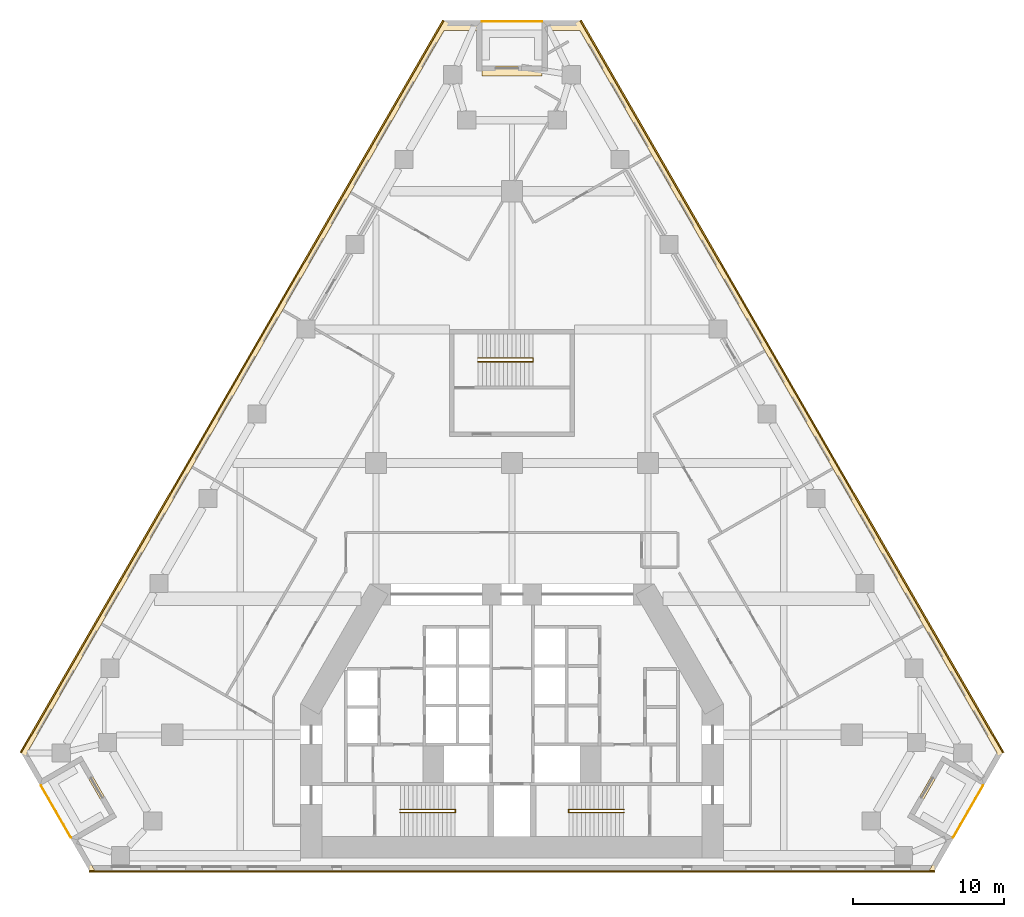
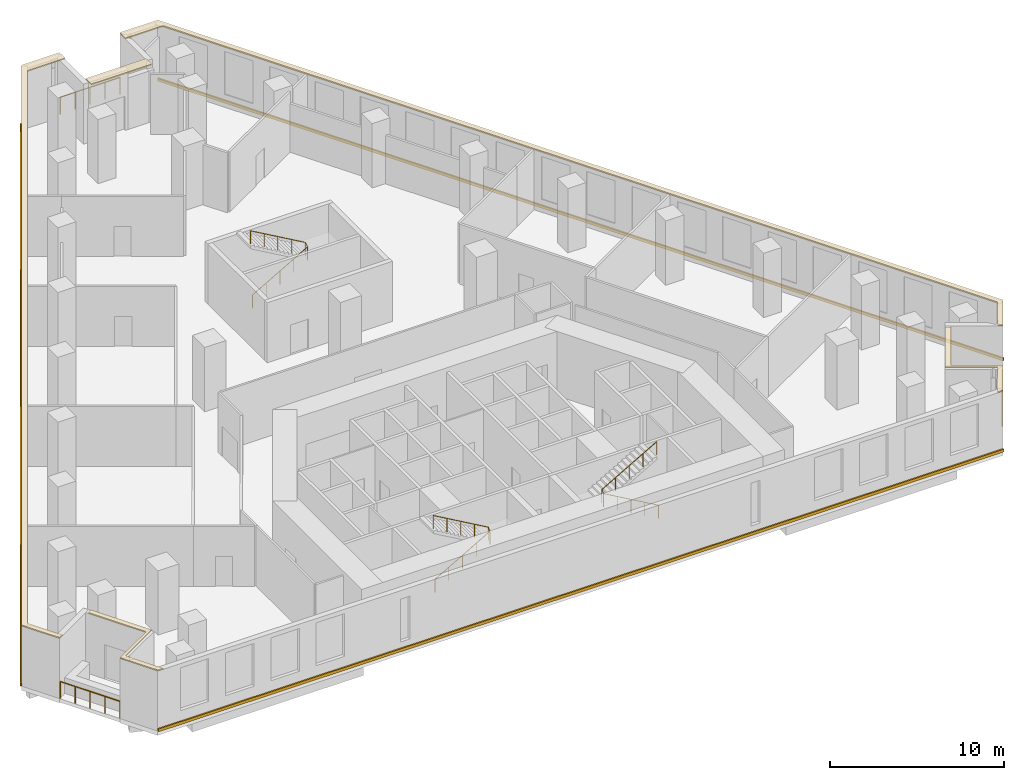
# One storey, part 14 of 14: 8 coverings, 6 railings.
"""IFC4 building model written with IfcOpenShell, lengths in metres."""

import ifcopenshell
import ifcopenshell.guid

model = None  # the IFC model being written
_history = None  # IfcOwnerHistory: only IFC2X3 demands one
_inside = {}  # id of a spatial element -> (the spatial element, [elements in it])
_under = {}  # id of a project, library or spatial element -> (it, [spatial elements below it])
_declared = {}  # id of a project -> (the project, [libraries it declares])
_typed = {}  # id of a type object -> (the type object, [elements of that type])
_made_of = {}  # id of a material, layer set ... -> (it, [elements and type objects made of it])


def new_model(schema):
    """Start an empty IFC model of exactly this schema.

    Asked for "IFC4X3", IfcOpenShell would pick the latest addendum, in which some entities
    have other attributes; the version numbers below select the first issue.
    IFC2X3 requires an IfcOwnerHistory on every rooted entity: one is made here for all.
    """
    global model, _history
    if schema == "IFC4X3":
        model = ifcopenshell.file(schema_version=(4, 3, 0, 0))
    else:
        model = ifcopenshell.file(schema=schema)
    _inside.clear()
    _under.clear()
    _declared.clear()
    _typed.clear()
    _made_of.clear()
    _history = None
    if model.schema == "IFC2X3":
        org = make("IfcOrganization", Name="unknown")
        user = make(
            "IfcPersonAndOrganization",
            ThePerson=make("IfcPerson", FamilyName="unknown"),
            TheOrganization=org,
        )
        app = make(
            "IfcApplication",
            ApplicationDeveloper=org,
            Version="unknown",
            ApplicationFullName="unknown",
            ApplicationIdentifier="unknown",
        )
        _history = make(
            "IfcOwnerHistory",
            OwningUser=user,
            OwningApplication=app,
            ChangeAction="ADDED",
            CreationDate=0,
        )
    return model


def make(cls, **values):
    """One entity of the class cls with the attributes given. An attribute that is None is left unset."""
    return model.create_entity(
        cls, **{name: value for name, value in values.items() if value is not None}
    )


def rooted(cls, **values):
    """An entity with a GlobalId (a new one), such as an element, a storey or a relation."""
    return make(cls, GlobalId=ifcopenshell.guid.new(), OwnerHistory=_history, **values)


def si_unit(unit_type, name, prefix=None):
    """IfcSIUnit, for example si_unit("LENGTHUNIT", "METRE", prefix="MILLI")."""
    return make("IfcSIUnit", UnitType=unit_type, Prefix=prefix, Name=name)


def assignment(units):
    """IfcUnitAssignment: the units of a project."""
    return None if units is None else make("IfcUnitAssignment", Units=units)


def point(xyz):
    """IfcCartesianPoint."""
    return None if xyz is None else make("IfcCartesianPoint", Coordinates=xyz)


def direction(xyz):
    """IfcDirection."""
    return None if xyz is None else make("IfcDirection", DirectionRatios=xyz)


def frame(location, z_axis=None, x_axis=None):
    """IfcAxis2Placement3D, a coordinate frame: its origin and axes. An axis left out is left unset."""
    return make(
        "IfcAxis2Placement3D",
        Location=point(location),
        Axis=direction(z_axis),
        RefDirection=direction(x_axis),
    )


def frame_2d(location, x_axis=None):
    """IfcAxis2Placement2D, a coordinate frame in the plane: its origin and x axis."""
    return make(
        "IfcAxis2Placement2D", Location=point(location), RefDirection=direction(x_axis)
    )


def origin():
    """The frame at (0, 0, 0) with its axes left unset."""
    return frame((0.0, 0.0, 0.0))


def origin_2d():
    """The frame at (0, 0) in the plane with its x axis left unset."""
    return frame_2d((0.0, 0.0))


def place(relative_to, where):
    """IfcLocalPlacement: puts the frame where relative to a parent placement (None: the world)."""
    return make(
        "IfcLocalPlacement", PlacementRelTo=relative_to, RelativePlacement=where
    )


def context(
    kind, dimensions, precision=None, world=None, true_north=None, identifier=None
):
    """IfcGeometricRepresentationContext, for example the 3D "Model" context."""
    return make(
        "IfcGeometricRepresentationContext",
        ContextIdentifier=identifier,
        ContextType=kind,
        CoordinateSpaceDimension=dimensions,
        Precision=precision,
        WorldCoordinateSystem=world,
        TrueNorth=true_north,
    )


def subcontext(parent, identifier, kind, view, scale=None):
    """IfcGeometricRepresentationSubContext, for example "Body" below "Model"."""
    return make(
        "IfcGeometricRepresentationSubContext",
        ContextIdentifier=identifier,
        ContextType=kind,
        ParentContext=parent,
        TargetScale=scale,
        TargetView=view,
    )


def project(units=None, contexts=None):
    """IfcProject with its units and contexts."""
    return rooted(
        "IfcProject",
        Name="project",
        RepresentationContexts=contexts,
        UnitsInContext=assignment(units),
    )


def spatial(cls, under=None, at=None, **own):
    """A site, building, storey or space (cls), placed at a placement, below another one or the project."""
    s = rooted(cls, ObjectPlacement=at, **own)
    if under is not None:
        _under.setdefault(under.id(), (under, []))[1].append(s)
    return s


def polyline(points):
    """IfcPolyline through the points."""
    return make("IfcPolyline", Points=[point(p) for p in points])


def profile(cls, at=None, kind="AREA", **sizes):
    """A parametric profile (cls). Its sizes go by their IFC names, for example OverallWidth=200.0."""
    return make(cls, ProfileType=kind, Position=at, **sizes)


def circle(**sizes):
    """IfcCircleProfileDef."""
    return profile("IfcCircleProfileDef", **sizes)


def outline(outer, holes=None, kind="AREA"):
    """IfcArbitraryClosedProfileDef: a profile drawn as a closed curve; with holes, ...WithVoids."""
    if holes is None:
        return make("IfcArbitraryClosedProfileDef", ProfileType=kind, OuterCurve=outer)
    return make(
        "IfcArbitraryProfileDefWithVoids",
        ProfileType=kind,
        OuterCurve=outer,
        InnerCurves=holes,
    )


def extrude(swept, where, along, depth):
    """IfcExtrudedAreaSolid: the profile swept, set in the frame where, extruded along a direction by depth."""
    return make(
        "IfcExtrudedAreaSolid",
        SweptArea=swept,
        Position=where,
        ExtrudedDirection=direction(along),
        Depth=depth,
    )


def shape(context_of_items, identifier, shape_type, items):
    """IfcShapeRepresentation: the items that make up one representation, for example the "Body"."""
    return make(
        "IfcShapeRepresentation",
        ContextOfItems=context_of_items,
        RepresentationIdentifier=identifier,
        RepresentationType=shape_type,
        Items=items,
    )


def material(Name=None, Category=None):
    """IfcMaterial."""
    return make("IfcMaterial", Name=Name, Category=Category)


def layer(
    of_material, thickness, ventilated=None, Name=None, Category=None, Priority=None
):
    """IfcMaterialLayer: one layer of a wall or slab, of a material (None: an air gap)."""
    return make(
        "IfcMaterialLayer",
        Material=of_material,
        LayerThickness=thickness,
        IsVentilated=ventilated,
        Name=Name,
        Category=Category,
        Priority=Priority,
    )


def layer_set(layers, Name=None):
    """IfcMaterialLayerSet."""
    return make("IfcMaterialLayerSet", MaterialLayers=layers, LayerSetName=Name)


def made_of(thing, what):
    """Note that an element or type object is made of a material, layer set ...; save() writes the relation."""
    if what is not None:
        _made_of.setdefault(what.id(), (what, []))[1].append(thing)
    return thing


def type_object(cls, material=None, **own):
    """A type object (cls), such as IfcWallType, which elements share."""
    return made_of(rooted(cls, **own), material)


def element(
    cls,
    number,
    at=None,
    inside=None,
    cuts=None,
    type_object=None,
    material=None,
    context=None,
    identifier="Body",
    shape_type=None,
    held_by="IfcProductDefinitionShape",
    body=None,
    shapes=None,
    **own,
):
    """One element of the class cls, such as IfcWall. Its Tag is "e" and its number.

    at: its placement. inside: the storey or other place that contains it. cuts: it is an
    opening in that element (IfcRelVoidsElement). A single representation is given by context,
    identifier, shape_type and body (its items); several are given by shapes. held_by: the class
    of the entity that holds the representations. save() writes the other relations.
    """
    e = rooted(cls, Tag="e%d" % number, ObjectPlacement=at, **own)
    if body is not None:
        shapes = [shape(context, identifier, shape_type, body)]
    if shapes is not None:
        e.Representation = make(held_by, Representations=shapes)
    if inside is not None:
        _inside.setdefault(inside.id(), (inside, []))[1].append(e)
    if cuts is not None:
        rooted(
            "IfcRelVoidsElement", RelatingBuildingElement=cuts, RelatedOpeningElement=e
        )
    if type_object is not None:
        _typed.setdefault(type_object.id(), (type_object, []))[1].append(e)
    return made_of(e, material)


def aggregate(whole, parts):
    """IfcRelAggregates: a whole, such as a stair, and the parts it consists of."""
    return rooted("IfcRelAggregates", RelatingObject=whole, RelatedObjects=parts)


def save(model, path):
    """Write the relations noted so far, then the file.

    IfcRelAggregates (storeys below a building ...), IfcRelContainedInSpatialStructure (elements
    in a storey), IfcRelDefinesByType, IfcRelAssociatesMaterial and IfcRelDeclares: one each for
    every whole, place, type object, material and project.
    """
    for whole, parts in _under.values():
        aggregate(whole, parts)
    for where, things in _inside.values():
        rooted(
            "IfcRelContainedInSpatialStructure",
            RelatedElements=things,
            RelatingStructure=where,
        )
    for kind, things in _typed.values():
        rooted("IfcRelDefinesByType", RelatedObjects=things, RelatingType=kind)
    for what, things in _made_of.values():
        rooted("IfcRelAssociatesMaterial", RelatedObjects=things, RelatingMaterial=what)
    for by, libraries in _declared.values():
        rooted("IfcRelDeclares", RelatingContext=by, RelatedDefinitions=libraries)
    model.write(path)


model = new_model("IFC4")

# Units and contexts
model_context = context("Model", 3, precision=1e-05, world=origin(), true_north=direction((0.0, 1.0)))
body_context = subcontext(model_context, "Body", "Model", "MODEL_VIEW")
ifc_project = project(units=[si_unit("LENGTHUNIT", "METRE"), si_unit("AREAUNIT", "SQUARE_METRE"), si_unit("VOLUMEUNIT", "CUBIC_METRE"), si_unit("PLANEANGLEUNIT", "RADIAN"), si_unit("MASSUNIT", "GRAM", prefix="KILO")], contexts=[model_context])

# Site, building, storey
site_placement = place(None, origin())
site = spatial("IfcSite", under=ifc_project, at=site_placement, CompositionType="ELEMENT")
building_placement = place(site_placement, origin())
building = spatial("IfcBuilding", under=site, at=building_placement, Name="Fogline Exchange Tower", CompositionType="ELEMENT")
storey_placement = place(building_placement, frame((0.0, 0.0, 34.0)))
storey = spatial("IfcBuildingStorey", under=building, at=storey_placement, Name="L06", CompositionType="ELEMENT", Elevation=34.0)

# Coverings
ifc_material_1 = material(Name="Granite", Category="masonry")
ifc_layer = layer(ifc_material_1, 0.080078125)
ifc_layer_set = layer_set([ifc_layer], Name="CP1")
covering_type_1 = type_object("IfcCoveringType", Name="CP1", PredefinedType="USERDEFINED", material=ifc_layer_set)
covering_1_placement = place(storey_placement, frame((0.0, 0.0, 4.199951171875)))
element("IfcCovering", 1, at=covering_1_placement, inside=storey, type_object=covering_type_1, Name="Ledge coping L06", ObjectType="COPING", PredefinedType="USERDEFINED", context=body_context, shape_type="SweptSolid", body=[
    extrude(outline(polyline([(-31.25, 5.629150390625), (-30.970703125, 5.790283203125), (-32.127685546875, 7.794189453125), (-4.5, 55.646728515625), (-2.0, 55.646728515625), (-2.0, 56.291748046875), (-4.5, 56.291748046875), (-32.5, 7.794189453125), (-31.25, 5.629150390625)])), origin(), (0.0, 0.0, 1.0), 0.080078125),
])
covering_2_placement = place(storey_placement, frame((0.0, 0.0, 4.199951171875)))
element("IfcCovering", 2, at=covering_2_placement, inside=storey, type_object=covering_type_1, Name="Ledge coping L06", ObjectType="COPING", PredefinedType="USERDEFINED", context=body_context, shape_type="SweptSolid", body=[
    extrude(outline(polyline([(-28.0, 0.0), (-27.627685546875, 0.0), (-28.877685546875, 2.1650390625), (-26.279541015625, 3.6650390625), (-28.279541015625, 7.129150390625), (-28.558837890625, 6.968017578125), (-26.65185546875, 3.6650390625), (-29.25, 2.1650390625), (-28.0, 0.0)])), origin(), (0.0, 0.0, 1.0), 0.080078125),
])
covering_3_placement = place(storey_placement, frame((0.0, 0.0, 4.199951171875)))
element("IfcCovering", 3, at=covering_3_placement, inside=storey, type_object=covering_type_1, Name="Ledge coping L06", ObjectType="COPING", PredefinedType="USERDEFINED", context=body_context, shape_type="SweptSolid", body=[
    extrude(outline(polyline([(26.65185546875, 3.6650390625), (28.558837890625, 6.968017578125), (28.279541015625, 7.129150390625), (26.279541015625, 3.6650390625), (28.877685546875, 2.1650390625), (27.627685546875, 0.0), (28.0, 0.0), (29.25, 2.1650390625), (26.65185546875, 3.6650390625)])), origin(), (0.0, 0.0, 1.0), 0.080078125),
])
covering_4_placement = place(storey_placement, frame((0.0, 0.0, 4.199951171875)))
element("IfcCovering", 4, at=covering_4_placement, inside=storey, type_object=covering_type_1, Name="Ledge coping L06", ObjectType="COPING", PredefinedType="USERDEFINED", context=body_context, shape_type="SweptSolid", body=[
    extrude(outline(polyline([(2.0, 56.291748046875), (2.0, 55.646728515625), (4.5, 55.646728515625), (32.127685546875, 7.794189453125), (30.970703125, 5.790283203125), (31.25, 5.629150390625), (32.5, 7.794189453125), (4.5, 56.291748046875), (2.0, 56.291748046875)])), origin(), (0.0, 0.0, 1.0), 0.080078125),
])
covering_5_placement = place(storey_placement, frame((0.0, 0.0, 4.199951171875)))
element("IfcCovering", 5, at=covering_5_placement, inside=storey, type_object=covering_type_1, Name="Ledge coping L06", ObjectType="COPING", PredefinedType="USERDEFINED", context=body_context, shape_type="SweptSolid", body=[
    extrude(outline(polyline([(2.0, 53.291748046875), (-2.0, 53.291748046875), (-2.0, 52.646728515625), (2.0, 52.646728515625), (2.0, 53.291748046875)])), origin(), (0.0, 0.0, 1.0), 0.080078125),
])

# Railings
ifc_material_2 = material(Name="Stainless steel 304", Category="steel")
railing_type_1 = type_object("IfcRailingType", Name="G1", PredefinedType="GUARDRAIL", material=ifc_material_2)
railing_1_placement = place(storey_placement, frame((-31.1962890625, 5.635986328125, 0.0)))
element("IfcRailing", 6, at=railing_1_placement, inside=storey, type_object=railing_type_1, Name="Balcony guard L06 SW", PredefinedType="GUARDRAIL", context=body_context, shape_type="SweptSolid", body=[
    extrude(circle(Radius=0.02392578125, at=origin_2d()), frame((0.0, 0.0, 1.17578125), z_axis=(0.500000102728, -0.866025344474, 0.0), x_axis=(0.866025344474, 0.500000102728, 0.0)), (0.0, 0.0, 1.0), 3.9580078125),
    extrude(circle(Radius=0.02099609375, at=origin_2d()), origin(), (0.0, 0.0, 1.0), 1.15185546875),
    extrude(circle(Radius=0.02099609375, at=origin_2d()), frame((0.49462890625, -0.85693359375, 0.0)), (0.0, 0.0, 1.0), 1.15185546875),
    extrude(circle(Radius=0.02099609375, at=origin_2d()), frame((0.989501953125, -1.7138671875, 0.0)), (0.0, 0.0, 1.0), 1.15185546875),
    extrude(circle(Radius=0.02099609375, at=origin_2d()), frame((1.484375, -2.57080078125, 0.0)), (0.0, 0.0, 1.0), 1.15185546875),
    extrude(circle(Radius=0.02099609375, at=origin_2d()), frame((1.97900390625, -3.427734375, 0.0)), (0.0, 0.0, 1.0), 1.15185546875),
])
railing_2_placement = place(storey_placement, frame((29.21728515625, 2.208251953125, 0.0)))
element("IfcRailing", 7, at=railing_2_placement, inside=storey, type_object=railing_type_1, Name="Balcony guard L06 SE", PredefinedType="GUARDRAIL", context=body_context, shape_type="SweptSolid", body=[
    extrude(circle(Radius=0.02392578125, at=origin_2d()), frame((0.0, 0.0, 1.17578125), z_axis=(0.500000102728, 0.866025344474, 0.0), x_axis=(-0.866025344474, 0.500000102728, 0.0)), (0.0, 0.0, 1.0), 3.9580078125),
    extrude(circle(Radius=0.02099609375, at=origin_2d()), origin(), (0.0, 0.0, 1.0), 1.15185546875),
    extrude(circle(Radius=0.02099609375, at=origin_2d()), frame((0.49462890625, 0.85693359375, 0.0)), (0.0, 0.0, 1.0), 1.15185546875),
    extrude(circle(Radius=0.02099609375, at=origin_2d()), frame((0.989501953125, 1.7138671875, 0.0)), (0.0, 0.0, 1.0), 1.15185546875),
    extrude(circle(Radius=0.02099609375, at=origin_2d()), frame((1.484375, 2.57080078125, 0.0)), (0.0, 0.0, 1.0), 1.15185546875),
    extrude(circle(Radius=0.02099609375, at=origin_2d()), frame((1.97900390625, 3.427734375, 0.0)), (0.0, 0.0, 1.0), 1.15185546875),
])
railing_3_placement = place(storey_placement, frame((1.97900390625, 56.24169921875, 0.0)))
element("IfcRailing", 8, at=railing_3_placement, inside=storey, type_object=railing_type_1, Name="Balcony guard L06 N", PredefinedType="GUARDRAIL", context=body_context, shape_type="SweptSolid", body=[
    extrude(circle(Radius=0.02392578125, at=origin_2d()), frame((0.0, 0.0, 1.17578125), z_axis=(-1.0, 0.0, 0.0), x_axis=(0.0, -1.0, 0.0)), (0.0, 0.0, 1.0), 3.9580078125),
    extrude(circle(Radius=0.02099609375, at=origin_2d()), origin(), (0.0, 0.0, 1.0), 1.15185546875),
    extrude(circle(Radius=0.02099609375, at=origin_2d()), frame((-0.989501953125, 0.0, 0.0)), (0.0, 0.0, 1.0), 1.15185546875),
    extrude(circle(Radius=0.02099609375, at=origin_2d()), frame((-1.97900390625, 0.0, 0.0)), (0.0, 0.0, 1.0), 1.15185546875),
    extrude(circle(Radius=0.02099609375, at=origin_2d()), frame((-2.968505859375, 0.0, 0.0)), (0.0, 0.0, 1.0), 1.15185546875),
    extrude(circle(Radius=0.02099609375, at=origin_2d()), frame((-3.9580078125, 0.0, 0.0)), (0.0, 0.0, 1.0), 1.15185546875),
])
ifc_material_3 = material(Name="Steel Q235B", Category="steel")
railing_type_2 = type_object("IfcRailingType", Name="RL-HR", PredefinedType="HANDRAIL", material=ifc_material_3)
railing_4_placement = place(storey_placement, frame((-7.39990234375, 3.85009765625, 0.16064453125)))
element("IfcRailing", 9, at=railing_4_placement, inside=storey, type_object=railing_type_2, Name="Handrail ST1", PredefinedType="HANDRAIL", context=body_context, shape_type="SweptSolid", body=[
    extrude(circle(Radius=0.02392578125, at=origin_2d()), frame((0.0, 0.0, 0.92578125), z_axis=(0.8672749571, 0.0, 0.497829437445), x_axis=(0.0, 1.0, 0.0)), (0.0, 0.0, 1.0), 4.197021484375),
    extrude(circle(Radius=0.02392578125, at=origin_2d()), frame((3.639892578125, 0.0, 3.01513671875), z_axis=(0.0, 0.779567027444, 0.626318808374), x_axis=(-1.0, 0.0, 0.0)), (0.0, 0.0, 1.0), 0.256591796875),
    extrude(circle(Radius=0.02392578125, at=origin_2d()), frame((3.639892578125, 0.199951171875, 3.17578125), z_axis=(-0.8672749571, 0.0, 0.497829437445), x_axis=(0.0, -1.0, 0.0)), (0.0, 0.0, 1.0), 4.197021484375),
    extrude(circle(Radius=0.02099609375, at=origin_2d()), origin(), (0.0, 0.0, 1.0), 0.90185546875),
    extrude(circle(Radius=0.02099609375, at=origin_2d()), frame((0.909912109375, 0.0, 0.5224609375)), (0.0, 0.0, 1.0), 0.90185546875),
    extrude(circle(Radius=0.02099609375, at=origin_2d()), frame((1.81982421875, 0.0, 1.044677734375)), (0.0, 0.0, 1.0), 0.90185546875),
    extrude(circle(Radius=0.02099609375, at=origin_2d()), frame((2.72998046875, 0.0, 1.56689453125)), (0.0, 0.0, 1.0), 0.90185546875),
    extrude(circle(Radius=0.02099609375, at=origin_2d()), frame((3.639892578125, 0.0, 2.08935546875)), (0.0, 0.0, 1.0), 0.90185546875),
    extrude(circle(Radius=0.02099609375, at=origin_2d()), frame((3.639892578125, 0.199951171875, 2.25)), (0.0, 0.0, 1.0), 0.90185546875),
    extrude(circle(Radius=0.02099609375, at=origin_2d()), frame((2.72998046875, 0.199951171875, 2.7724609375)), (0.0, 0.0, 1.0), 0.90185546875),
    extrude(circle(Radius=0.02099609375, at=origin_2d()), frame((1.81982421875, 0.199951171875, 3.294677734375)), (0.0, 0.0, 1.0), 0.90185546875),
    extrude(circle(Radius=0.02099609375, at=origin_2d()), frame((0.909912109375, 0.199951171875, 3.81689453125)), (0.0, 0.0, 1.0), 0.90185546875),
    extrude(circle(Radius=0.02099609375, at=origin_2d()), frame((0.0, 0.199951171875, 4.33935546875)), (0.0, 0.0, 1.0), 0.90185546875),
])
railing_5_placement = place(storey_placement, frame((7.39990234375, 3.85009765625, 0.16064453125)))
element("IfcRailing", 10, at=railing_5_placement, inside=storey, type_object=railing_type_2, Name="Handrail ST2", PredefinedType="HANDRAIL", context=body_context, shape_type="SweptSolid", body=[
    extrude(circle(Radius=0.02392578125, at=origin_2d()), frame((0.0, 0.0, 0.92578125), z_axis=(-0.8672749571, 0.0, 0.497829437445), x_axis=(0.0, -1.0, 0.0)), (0.0, 0.0, 1.0), 4.197021484375),
    extrude(circle(Radius=0.02392578125, at=origin_2d()), frame((-3.639892578125, 0.0, 3.01513671875), z_axis=(0.0, 0.779567027444, 0.626318808374), x_axis=(-1.0, 0.0, 0.0)), (0.0, 0.0, 1.0), 0.256591796875),
    extrude(circle(Radius=0.02392578125, at=origin_2d()), frame((-3.639892578125, 0.199951171875, 3.17578125), z_axis=(0.8672749571, 0.0, 0.497829437445), x_axis=(0.0, 1.0, 0.0)), (0.0, 0.0, 1.0), 4.197021484375),
    extrude(circle(Radius=0.02099609375, at=origin_2d()), origin(), (0.0, 0.0, 1.0), 0.90185546875),
    extrude(circle(Radius=0.02099609375, at=origin_2d()), frame((-0.909912109375, 0.0, 0.5224609375)), (0.0, 0.0, 1.0), 0.90185546875),
    extrude(circle(Radius=0.02099609375, at=origin_2d()), frame((-1.81982421875, 0.0, 1.044677734375)), (0.0, 0.0, 1.0), 0.90185546875),
    extrude(circle(Radius=0.02099609375, at=origin_2d()), frame((-2.72998046875, 0.0, 1.56689453125)), (0.0, 0.0, 1.0), 0.90185546875),
    extrude(circle(Radius=0.02099609375, at=origin_2d()), frame((-3.639892578125, 0.0, 2.08935546875)), (0.0, 0.0, 1.0), 0.90185546875),
    extrude(circle(Radius=0.02099609375, at=origin_2d()), frame((-3.639892578125, 0.199951171875, 2.25)), (0.0, 0.0, 1.0), 0.90185546875),
    extrude(circle(Radius=0.02099609375, at=origin_2d()), frame((-2.72998046875, 0.199951171875, 2.7724609375)), (0.0, 0.0, 1.0), 0.90185546875),
    extrude(circle(Radius=0.02099609375, at=origin_2d()), frame((-1.81982421875, 0.199951171875, 3.294677734375)), (0.0, 0.0, 1.0), 0.90185546875),
    extrude(circle(Radius=0.02099609375, at=origin_2d()), frame((-0.909912109375, 0.199951171875, 3.81689453125)), (0.0, 0.0, 1.0), 0.90185546875),
    extrude(circle(Radius=0.02099609375, at=origin_2d()), frame((0.0, 0.199951171875, 4.33935546875)), (0.0, 0.0, 1.0), 0.90185546875),
])
railing_6_placement = place(storey_placement, frame((-2.25, 33.70703125, 0.16064453125)))
element("IfcRailing", 11, at=railing_6_placement, inside=storey, type_object=railing_type_2, Name="Handrail ST3", PredefinedType="HANDRAIL", context=body_context, shape_type="SweptSolid", body=[
    extrude(circle(Radius=0.02392578125, at=origin_2d()), frame((0.0, 0.0, 0.92578125), z_axis=(0.8672749571, 0.0, 0.497829437445), x_axis=(0.0, 1.0, 0.0)), (0.0, 0.0, 1.0), 4.197021484375),
    extrude(circle(Radius=0.02392578125, at=origin_2d()), frame((3.639892578125, 0.0, 3.01513671875), z_axis=(0.0, 0.841285233109, 0.540591487681), x_axis=(-1.0, 0.0, 0.0)), (0.0, 0.0, 1.0), 0.297119140625),
    extrude(circle(Radius=0.02392578125, at=origin_2d()), frame((3.639892578125, 0.25, 3.17578125), z_axis=(-0.8672749571, 0.0, 0.497829437445), x_axis=(0.0, -1.0, 0.0)), (0.0, 0.0, 1.0), 4.197021484375),
    extrude(circle(Radius=0.02099609375, at=origin_2d()), origin(), (0.0, 0.0, 1.0), 0.90185546875),
    extrude(circle(Radius=0.02099609375, at=origin_2d()), frame((0.909912109375, 0.0, 0.5224609375)), (0.0, 0.0, 1.0), 0.90185546875),
    extrude(circle(Radius=0.02099609375, at=origin_2d()), frame((1.81982421875, 0.0, 1.044677734375)), (0.0, 0.0, 1.0), 0.90185546875),
    extrude(circle(Radius=0.02099609375, at=origin_2d()), frame((2.72998046875, 0.0, 1.56689453125)), (0.0, 0.0, 1.0), 0.90185546875),
    extrude(circle(Radius=0.02099609375, at=origin_2d()), frame((3.639892578125, 0.0, 2.08935546875)), (0.0, 0.0, 1.0), 0.90185546875),
    extrude(circle(Radius=0.02099609375, at=origin_2d()), frame((3.639892578125, 0.25, 2.25)), (0.0, 0.0, 1.0), 0.90185546875),
    extrude(circle(Radius=0.02099609375, at=origin_2d()), frame((2.72998046875, 0.25, 2.7724609375)), (0.0, 0.0, 1.0), 0.90185546875),
    extrude(circle(Radius=0.02099609375, at=origin_2d()), frame((1.81982421875, 0.25, 3.294677734375)), (0.0, 0.0, 1.0), 0.90185546875),
    extrude(circle(Radius=0.02099609375, at=origin_2d()), frame((0.909912109375, 0.25, 3.81689453125)), (0.0, 0.0, 1.0), 0.90185546875),
    extrude(circle(Radius=0.02099609375, at=origin_2d()), frame((0.0, 0.25, 4.33935546875)), (0.0, 0.0, 1.0), 0.90185546875),
])

# Coverings
ifc_material_4 = material(Name="Brick masonry", Category="masonry")
covering_type_2 = type_object("IfcCoveringType", Name="SB1", PredefinedType="CLADDING", material=ifc_material_4)
covering_6_placement = place(storey_placement, origin())
element("IfcCovering", 12, at=covering_6_placement, inside=storey, type_object=covering_type_2, Name="Stringcourse band L06 S", PredefinedType="CLADDING", context=body_context, shape_type="SweptSolid", body=[
    extrude(outline(polyline([(-28.0, 0.0), (-28.0, -0.10009765625), (28.0, -0.10009765625), (28.0, 0.0), (-28.0, 0.0)])), origin(), (0.0, 0.0, 1.0), 0.199951171875),
])
covering_7_placement = place(storey_placement, origin())
element("IfcCovering", 13, at=covering_7_placement, inside=storey, type_object=covering_type_2, Name="Stringcourse band L06 E", PredefinedType="CLADDING", context=body_context, shape_type="SweptSolid", body=[
    extrude(outline(polyline([(32.5, 7.794189453125), (32.586669921875, 7.84423828125), (4.586669921875, 56.341796875), (4.5, 56.291748046875), (32.5, 7.794189453125)])), origin(), (0.0, 0.0, 1.0), 0.199951171875),
])
covering_8_placement = place(storey_placement, origin())
element("IfcCovering", 14, at=covering_8_placement, inside=storey, type_object=covering_type_2, Name="Stringcourse band L06 W", PredefinedType="CLADDING", context=body_context, shape_type="SweptSolid", body=[
    extrude(outline(polyline([(-4.5, 56.291748046875), (-4.586669921875, 56.341796875), (-32.586669921875, 7.84423828125), (-32.5, 7.794189453125), (-4.5, 56.291748046875)])), origin(), (0.0, 0.0, 1.0), 0.199951171875),
])

save(model, "model.ifc")
